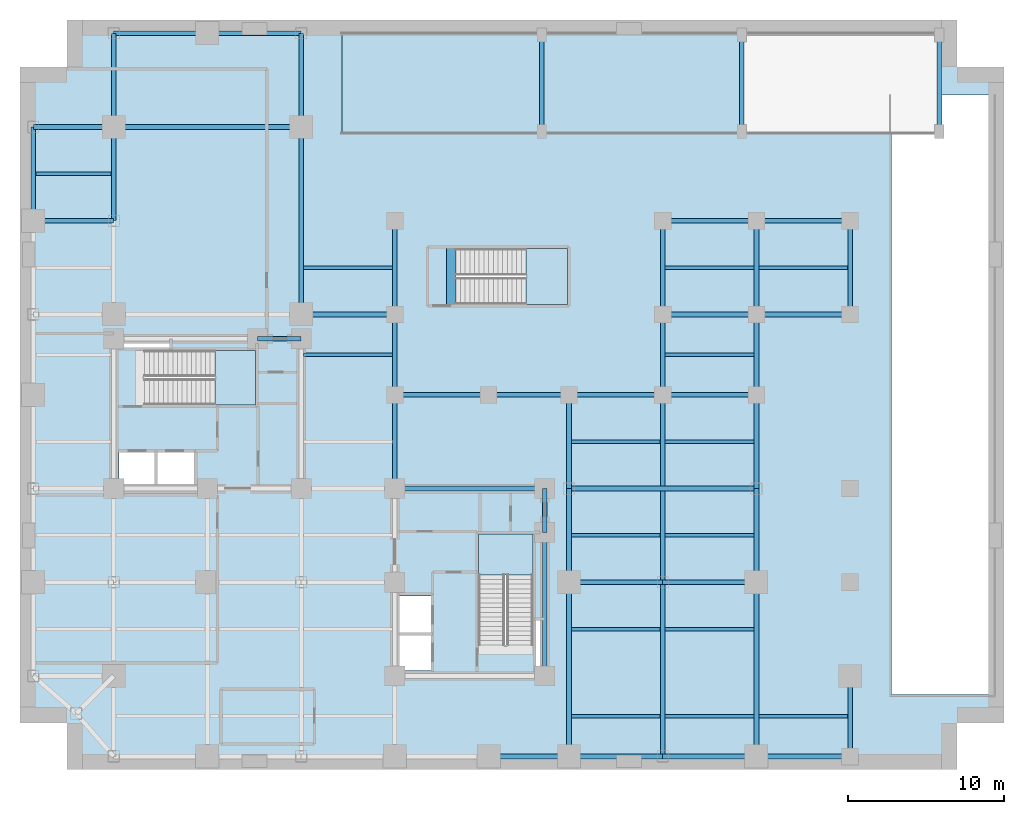
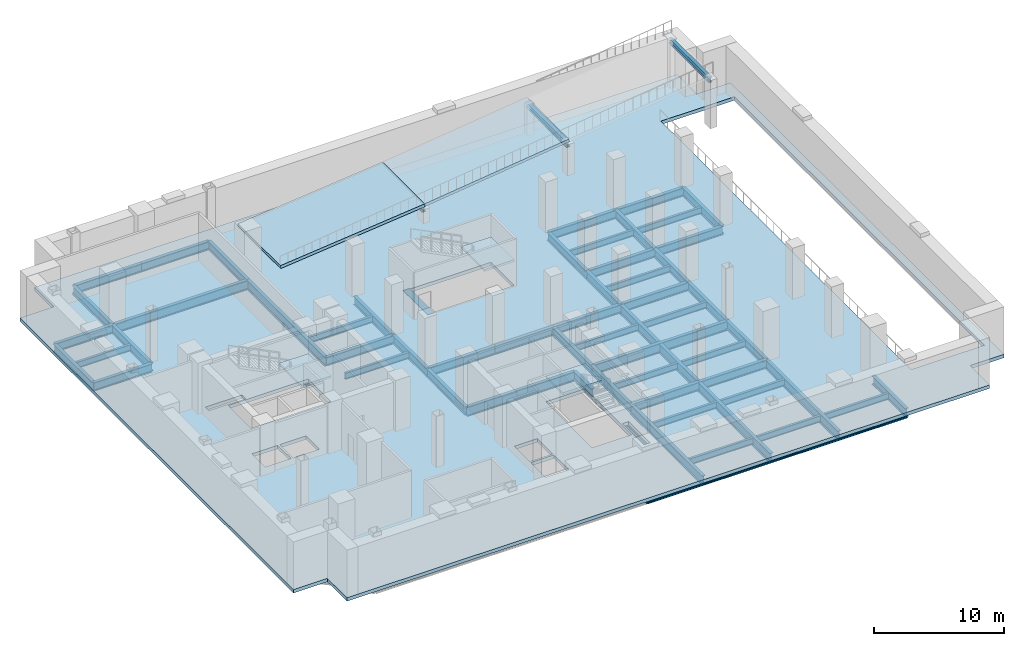
# One storey, part 2 of 6: 66 beams, 6 slabs, 3 elements without a shape of their own.
"""IFC4 building model written with IfcOpenShell, lengths in metres."""

from ifc_helpers import new_model, si_unit, direction, frame, origin, origin_2d, place, context, subcontext, project, spatial, polyline, rectangle, i_section, outline, extrude, material, layer, layer_set, material_profile, profile_set, type_object, element, aggregate, save


model = new_model("IFC4")

# Units and contexts
model_context = context("Model", 3, precision=1e-05, world=origin(), true_north=direction((0.0, 1.0)))
body_context = subcontext(model_context, "Body", "Model", "MODEL_VIEW")
ifc_project = project(units=[si_unit("LENGTHUNIT", "METRE"), si_unit("AREAUNIT", "SQUARE_METRE"), si_unit("VOLUMEUNIT", "CUBIC_METRE"), si_unit("PLANEANGLEUNIT", "RADIAN"), si_unit("MASSUNIT", "GRAM", prefix="KILO"), si_unit("THERMODYNAMICTEMPERATUREUNIT", "KELVIN"), si_unit("POWERUNIT", "WATT")], contexts=[model_context])

# Site, building, storey
site_placement = place(None, origin())
site = spatial("IfcSite", under=ifc_project, at=site_placement, CompositionType="ELEMENT")
building_placement = place(site_placement, origin())
building = spatial("IfcBuilding", under=site, at=building_placement, Name="Svarakhadi Broadcast Tower", CompositionType="ELEMENT")
storey_placement = place(building_placement, frame((0.0, 0.0, -4.800048828125)))
storey = spatial("IfcBuildingStorey", under=building, at=storey_placement, Name="B01", CompositionType="ELEMENT", Elevation=-4.800048828125)

# Beams
ifc_material_1 = material(Name="Steel S355J2 (IS 2062 E350C)", Category="steel")
ifc_material_profile_1 = material_profile(ifc_material_1, i_section(OverallWidth=0.219970703125, OverallDepth=0.60009765625, WebThickness=0.011962890625, FlangeThickness=0.01904296875, FilletRadius=0.02392578125, at=origin_2d()), Name="NPB 600x220x122")
ifc_profile_set_1 = profile_set([ifc_material_profile_1], Name="Steel S355J2 (IS 2062 E350C)")
beam_type_1 = type_object("IfcBeamType", Name="Beam_NPB600", PredefinedType="BEAM", material=ifc_profile_set_1)
beam_1_placement = place(storey_placement, frame((1.010009765625, 38.14990234375, -0.625), z_axis=(1.0, 0.0, 0.0), x_axis=(0.0, 1.0, 0.0)))
element("IfcBeam", 1, at=beam_1_placement, inside=storey, type_object=beam_type_1, Name="B01 Secondary Composite Beam SB006", PredefinedType="BEAM", context=body_context, shape_type="SweptSolid", body=[
    extrude(i_section(OverallWidth=0.219970703125, OverallDepth=0.60009765625, WebThickness=0.011962890625, FlangeThickness=0.01904296875, FilletRadius=0.02392578125, at=origin_2d()), origin(), (0.0, 0.0, 1.0), 4.830078125),
])
for number, where, z_axis, x_axis, name in (
    (2, (18.159912109375, 26.574951171875, -0.625), (1.0, 0.0, 0.0), (0.0, 1.0, 0.0), "B01 Secondary Composite Beam SB017"),
    (3, (18.159912109375, 32.14990234375, -0.625), (1.0, 0.0, 0.0), (0.0, 1.0, 0.0), "B01 Secondary Composite Beam SB018"),
):
    element("IfcBeam", number, at=place(storey_placement, frame(where, z_axis=z_axis, x_axis=x_axis)), inside=storey, type_object=beam_type_1, Name=name, PredefinedType="BEAM", context=body_context, shape_type="SweptSolid", body=[
        extrude(i_section(OverallWidth=0.219970703125, OverallDepth=0.60009765625, WebThickness=0.011962890625, FlangeThickness=0.01904296875, FilletRadius=0.02392578125, at=origin_2d()), origin(), (0.0, 0.0, 1.0), 5.68017578125),
    ])
for number, where, z_axis, x_axis, name in (
    (4, (35.31005859375, 3.425048828125, -0.625), (1.0, 0.0, 0.0), (0.0, 1.0, 0.0), "B01 Secondary Composite Beam SB019"),
    (5, (35.31005859375, 9.0, -0.625), (1.0, 0.0, 0.0), (0.0, 1.0, 0.0), "B01 Secondary Composite Beam SB020"),
    (6, (35.31005859375, 15.0, -0.625), (1.0, 0.0, 0.0), (0.0, 1.0, 0.0), "B01 Secondary Composite Beam SB021"),
    (7, (35.31005859375, 21.0, -0.625), (1.0, 0.0, 0.0), (0.0, 1.0, 0.0), "B01 Secondary Composite Beam SB022"),
    (8, (41.31005859375, 3.425048828125, -0.625), (1.0, 0.0, 0.0), (0.0, 1.0, 0.0), "B01 Secondary Composite Beam SB023"),
    (9, (41.31005859375, 9.0, -0.625), (1.0, 0.0, 0.0), (0.0, 1.0, 0.0), "B01 Secondary Composite Beam SB024"),
    (10, (41.31005859375, 15.0, -0.625), (1.0, 0.0, 0.0), (0.0, 1.0, 0.0), "B01 Secondary Composite Beam SB025"),
    (11, (41.31005859375, 21.0, -0.625), (1.0, 0.0, 0.0), (0.0, 1.0, 0.0), "B01 Secondary Composite Beam SB026"),
    (12, (41.31005859375, 26.574951171875, -0.625), (1.0, 0.0, 0.0), (0.0, 1.0, 0.0), "B01 Secondary Composite Beam SB027"),
    (13, (41.31005859375, 32.14990234375, -0.625), (1.0, 0.0, 0.0), (0.0, 1.0, 0.0), "B01 Secondary Composite Beam SB028"),
    (14, (47.31005859375, 3.425048828125, -0.625), (1.0, 0.0, 0.0), (0.0, 1.0, 0.0), "B01 Secondary Composite Beam SB029"),
    (15, (47.31005859375, 32.14990234375, -0.625), (1.0, 0.0, 0.0), (0.0, 1.0, 0.0), "B01 Secondary Composite Beam SB030"),
):
    element("IfcBeam", number, at=place(storey_placement, frame(where, z_axis=z_axis, x_axis=x_axis)), inside=storey, type_object=beam_type_1, Name=name, PredefinedType="BEAM", context=body_context, shape_type="SweptSolid", body=[
        extrude(i_section(OverallWidth=0.219970703125, OverallDepth=0.60009765625, WebThickness=0.011962890625, FlangeThickness=0.01904296875, FilletRadius=0.02392578125, at=origin_2d()), origin(), (0.0, 0.0, 1.0), 5.679931640625),
    ])
ifc_material_2 = material(Name="Concrete C50/60 (IS 456 M60)", Category="concrete")
ifc_material_profile_2 = material_profile(ifc_material_2, rectangle(XDim=0.60009765625, YDim=0.89990234375, at=origin_2d()), Name="RC 600x900")
ifc_profile_set_2 = profile_set([ifc_material_profile_2], Name="Concrete C50/60 (IS 456 M60)")
beam_type_2 = type_object("IfcBeamType", Name="Coupling_RC600", PredefinedType="USERDEFINED", material=ifc_profile_set_2)
beam_2_placement = place(storey_placement, frame((27.60009765625, 29.699951171875, -0.449951171875), z_axis=(0.0, 1.0, 0.0), x_axis=(-1.0, 0.0, 0.0)))
element("IfcBeam", 16, at=beam_2_placement, inside=storey, type_object=beam_type_2, Name="B01 Stair ST-03 Landing Throat Trimmer Beam CB-01", ObjectType="GIRDER", PredefinedType="USERDEFINED", context=body_context, shape_type="SweptSolid", body=[
    extrude(rectangle(XDim=0.60009765625, YDim=0.89990234375, at=origin_2d()), origin(), (0.0, 0.0, 1.0), 3.760009765625),
])
ifc_material_profile_3 = material_profile(ifc_material_1, i_section(OverallWidth=0.300048828125, OverallDepth=0.5, WebThickness=0.014404296875, FlangeThickness=0.028076171875, FilletRadius=0.027099609375, at=origin_2d()), Name="WPB 500x300x187")
ifc_profile_set_3 = profile_set([ifc_material_profile_3], Name="Steel S355J2 (IS 2062 E350C)")
beam_type_3 = type_object("IfcBeamType", Name="Girder_WPB500", PredefinedType="USERDEFINED", material=ifc_profile_set_3)
for number, where, z_axis, x_axis, name in (
    (17, (33.39990234375, 40.85009765625, 1.010009765625), (0.0, 1.0, 0.0), (-1.0, 0.0, 0.0), "B01 Vehicle Ramp Transverse Bearer Girder 1"),
    (18, (46.199951171875, 40.85009765625, 2.610107421875), (0.0, 1.0, 0.0), (-1.0, 0.0, 0.0), "B01 Vehicle Ramp Transverse Bearer Girder 2"),
    (19, (58.85009765625, 40.85009765625, 4.2099609375), (0.0, 1.0, 0.0), (-1.0, 0.0, 0.0), "B01 Vehicle Ramp Transverse Bearer Girder 3"),
):
    element("IfcBeam", number, at=place(storey_placement, frame(where, z_axis=z_axis, x_axis=x_axis)), inside=storey, type_object=beam_type_3, Name=name, ObjectType="GIRDER", PredefinedType="USERDEFINED", context=body_context, shape_type="SweptSolid", body=[
        extrude(i_section(OverallWidth=0.300048828125, OverallDepth=0.5, WebThickness=0.014404296875, FlangeThickness=0.028076171875, FilletRadius=0.027099609375, at=origin_2d()), origin(), (0.0, 0.0, 1.0), 6.199951171875),
    ])
ifc_material_profile_4 = material_profile(ifc_material_1, i_section(OverallWidth=0.300048828125, OverallDepth=0.800048828125, WebThickness=0.017578125, FlangeThickness=0.032958984375, FilletRadius=0.030029296875, at=origin_2d()), Name="WPB 800x300x262")
ifc_profile_set_4 = profile_set([ifc_material_profile_4], Name="Steel S355J2 (IS 2062 E350C)")
beam_type_4 = type_object("IfcBeamType", Name="Girder_WPB800", PredefinedType="USERDEFINED", material=ifc_profile_set_4)
beam_3_placement = place(storey_placement, frame((30.0, 0.85009765625, -0.724853515625), z_axis=(1.0, 0.0, 0.0), x_axis=(0.0, 1.0, 0.0)))
element("IfcBeam", 20, at=beam_3_placement, inside=storey, type_object=beam_type_4, Name="B01 Primary E-W Girder G008", ObjectType="GIRDER", PredefinedType="USERDEFINED", context=body_context, shape_type="SweptSolid", body=[
    extrude(i_section(OverallWidth=0.300048828125, OverallDepth=0.800048828125, WebThickness=0.017578125, FlangeThickness=0.032958984375, FilletRadius=0.030029296875, at=origin_2d()), origin(), (0.0, 0.0, 1.0), 5.14990234375),
])
for number, where, z_axis, x_axis, name in (
    (21, (35.14990234375, 0.85009765625, -0.724853515625), (1.0, 0.0, 0.0), (0.0, 1.0, 0.0), "B01 Primary E-W Girder G009"),
    (22, (41.14990234375, 0.85009765625, -0.724853515625), (1.0, 0.0, 0.0), (0.0, 1.0, 0.0), "B01 Primary E-W Girder G010"),
    (23, (47.14990234375, 0.85009765625, -0.724853515625), (1.0, 0.0, 0.0), (0.0, 1.0, 0.0), "B01 Primary E-W Girder G011"),
    (24, (35.14990234375, 12.0, -0.724853515625), (1.0, 0.0, 0.0), (0.0, 1.0, 0.0), "B01 Primary E-W Girder G018"),
    (25, (41.14990234375, 12.0, -0.724853515625), (1.0, 0.0, 0.0), (0.0, 1.0, 0.0), "B01 Primary E-W Girder G019"),
    (26, (24.0, 24.0, -0.724853515625), (1.0, 0.0, 0.0), (0.0, 1.0, 0.0), "B01 Primary E-W Girder G026"),
):
    element("IfcBeam", number, at=place(storey_placement, frame(where, z_axis=z_axis, x_axis=x_axis)), inside=storey, type_object=beam_type_4, Name=name, ObjectType="GIRDER", PredefinedType="USERDEFINED", context=body_context, shape_type="SweptSolid", body=[
        extrude(i_section(OverallWidth=0.300048828125, OverallDepth=0.800048828125, WebThickness=0.017578125, FlangeThickness=0.032958984375, FilletRadius=0.030029296875, at=origin_2d()), origin(), (0.0, 0.0, 1.0), 6.0),
    ])
beam_4_placement = place(storey_placement, frame((30.0, 24.0, -0.724853515625), z_axis=(1.0, 0.0, 0.0), x_axis=(0.0, 1.0, 0.0)))
element("IfcBeam", 27, at=beam_4_placement, inside=storey, type_object=beam_type_4, Name="B01 Primary E-W Girder G027", ObjectType="GIRDER", PredefinedType="USERDEFINED", context=body_context, shape_type="SweptSolid", body=[
    extrude(i_section(OverallWidth=0.300048828125, OverallDepth=0.800048828125, WebThickness=0.017578125, FlangeThickness=0.032958984375, FilletRadius=0.030029296875, at=origin_2d()), origin(), (0.0, 0.0, 1.0), 5.14990234375),
])
for number, where, z_axis, x_axis, name in (
    (28, (35.14990234375, 24.0, -0.724853515625), (1.0, 0.0, 0.0), (0.0, 1.0, 0.0), "B01 Primary E-W Girder G028"),
    (29, (41.14990234375, 24.0, -0.724853515625), (1.0, 0.0, 0.0), (0.0, 1.0, 0.0), "B01 Primary E-W Girder G029"),
):
    element("IfcBeam", number, at=place(storey_placement, frame(where, z_axis=z_axis, x_axis=x_axis)), inside=storey, type_object=beam_type_4, Name=name, ObjectType="GIRDER", PredefinedType="USERDEFINED", context=body_context, shape_type="SweptSolid", body=[
        extrude(i_section(OverallWidth=0.300048828125, OverallDepth=0.800048828125, WebThickness=0.017578125, FlangeThickness=0.032958984375, FilletRadius=0.030029296875, at=origin_2d()), origin(), (0.0, 0.0, 1.0), 6.0),
    ])
beam_5_placement = place(storey_placement, frame((15.199951171875, 27.60009765625, -0.724853515625), z_axis=(1.0, 0.0, 0.0), x_axis=(0.0, 1.0, 0.0)))
element("IfcBeam", 30, at=beam_5_placement, inside=storey, type_object=beam_type_4, Name="B01 Primary E-W Girder G031", ObjectType="GIRDER", PredefinedType="USERDEFINED", context=body_context, shape_type="SweptSolid", body=[
    extrude(i_section(OverallWidth=0.300048828125, OverallDepth=0.800048828125, WebThickness=0.017578125, FlangeThickness=0.032958984375, FilletRadius=0.030029296875, at=origin_2d()), origin(), (0.0, 0.0, 1.0), 2.800048828125),
])
for number, where, z_axis, x_axis, name in (
    (31, (18.0, 29.14990234375, -0.724853515625), (1.0, 0.0, 0.0), (0.0, 1.0, 0.0), "B01 Primary E-W Girder G034"),
    (32, (41.14990234375, 29.14990234375, -0.724853515625), (1.0, 0.0, 0.0), (0.0, 1.0, 0.0), "B01 Primary E-W Girder G035"),
    (33, (47.14990234375, 29.14990234375, -0.724853515625), (1.0, 0.0, 0.0), (0.0, 1.0, 0.0), "B01 Primary E-W Girder G036"),
):
    element("IfcBeam", number, at=place(storey_placement, frame(where, z_axis=z_axis, x_axis=x_axis)), inside=storey, type_object=beam_type_4, Name=name, ObjectType="GIRDER", PredefinedType="USERDEFINED", context=body_context, shape_type="SweptSolid", body=[
        extrude(i_section(OverallWidth=0.300048828125, OverallDepth=0.800048828125, WebThickness=0.017578125, FlangeThickness=0.032958984375, FilletRadius=0.030029296875, at=origin_2d()), origin(), (0.0, 0.0, 1.0), 6.0),
    ])
beam_6_placement = place(storey_placement, frame((0.85009765625, 35.14990234375, -0.724853515625), z_axis=(1.0, 0.0, 0.0), x_axis=(0.0, 1.0, 0.0)))
element("IfcBeam", 34, at=beam_6_placement, inside=storey, type_object=beam_type_4, Name="B01 Primary E-W Girder G037", ObjectType="GIRDER", PredefinedType="USERDEFINED", context=body_context, shape_type="SweptSolid", body=[
    extrude(i_section(OverallWidth=0.300048828125, OverallDepth=0.800048828125, WebThickness=0.017578125, FlangeThickness=0.032958984375, FilletRadius=0.030029296875, at=origin_2d()), origin(), (0.0, 0.0, 1.0), 5.14990234375),
])
for number, where, z_axis, x_axis, name in (
    (35, (41.14990234375, 35.14990234375, -0.724853515625), (1.0, 0.0, 0.0), (0.0, 1.0, 0.0), "B01 Primary E-W Girder G038"),
    (36, (47.14990234375, 35.14990234375, -0.724853515625), (1.0, 0.0, 0.0), (0.0, 1.0, 0.0), "B01 Primary E-W Girder G039"),
):
    element("IfcBeam", number, at=place(storey_placement, frame(where, z_axis=z_axis, x_axis=x_axis)), inside=storey, type_object=beam_type_4, Name=name, ObjectType="GIRDER", PredefinedType="USERDEFINED", context=body_context, shape_type="SweptSolid", body=[
        extrude(i_section(OverallWidth=0.300048828125, OverallDepth=0.800048828125, WebThickness=0.017578125, FlangeThickness=0.032958984375, FilletRadius=0.030029296875, at=origin_2d()), origin(), (0.0, 0.0, 1.0), 6.0),
    ])
beam_7_placement = place(storey_placement, frame((0.85009765625, 41.14990234375, -0.724853515625), z_axis=(1.0, 0.0, 0.0), x_axis=(0.0, 1.0, 0.0)))
element("IfcBeam", 37, at=beam_7_placement, inside=storey, type_object=beam_type_4, Name="B01 Primary E-W Girder G040", ObjectType="GIRDER", PredefinedType="USERDEFINED", context=body_context, shape_type="SweptSolid", body=[
    extrude(i_section(OverallWidth=0.300048828125, OverallDepth=0.800048828125, WebThickness=0.017578125, FlangeThickness=0.032958984375, FilletRadius=0.030029296875, at=origin_2d()), origin(), (0.0, 0.0, 1.0), 5.14990234375),
])
for number, where, z_axis, x_axis, name in (
    (38, (6.0, 47.14990234375, -0.724853515625), (1.0, 0.0, 0.0), (0.0, 1.0, 0.0), "B01 Primary E-W Girder G042"),
    (39, (12.0, 47.14990234375, -0.724853515625), (1.0, 0.0, 0.0), (0.0, 1.0, 0.0), "B01 Primary E-W Girder G043"),
    (40, (0.85009765625, 35.14990234375, -0.724853515625), (0.0, 1.0, 0.0), (-1.0, 0.0, 0.0), "B01 Primary N-S Girder G049"),
    (41, (6.0, 35.14990234375, -0.724853515625), (0.0, 1.0, 0.0), (-1.0, 0.0, 0.0), "B01 Primary N-S Girder G055"),
    (42, (6.0, 41.14990234375, -0.724853515625), (0.0, 1.0, 0.0), (-1.0, 0.0, 0.0), "B01 Primary N-S Girder G056"),
    (43, (18.0, 41.14990234375, -0.724853515625), (0.0, 1.0, 0.0), (-1.0, 0.0, 0.0), "B01 Primary N-S Girder G063"),
    (44, (24.0, 18.0, -0.724853515625), (0.0, 1.0, 0.0), (-1.0, 0.0, 0.0), "B01 Primary N-S Girder G067"),
):
    element("IfcBeam", number, at=place(storey_placement, frame(where, z_axis=z_axis, x_axis=x_axis)), inside=storey, type_object=beam_type_4, Name=name, ObjectType="GIRDER", PredefinedType="USERDEFINED", context=body_context, shape_type="SweptSolid", body=[
        extrude(i_section(OverallWidth=0.300048828125, OverallDepth=0.800048828125, WebThickness=0.017578125, FlangeThickness=0.032958984375, FilletRadius=0.030029296875, at=origin_2d()), origin(), (0.0, 0.0, 1.0), 6.0),
    ])
beam_8_placement = place(storey_placement, frame((24.0, 24.0, -0.724853515625), z_axis=(0.0, 1.0, 0.0), x_axis=(-1.0, 0.0, 0.0)))
element("IfcBeam", 45, at=beam_8_placement, inside=storey, type_object=beam_type_4, Name="B01 Primary N-S Girder G068", ObjectType="GIRDER", PredefinedType="USERDEFINED", context=body_context, shape_type="SweptSolid", body=[
    extrude(i_section(OverallWidth=0.300048828125, OverallDepth=0.800048828125, WebThickness=0.017578125, FlangeThickness=0.032958984375, FilletRadius=0.030029296875, at=origin_2d()), origin(), (0.0, 0.0, 1.0), 5.14990234375),
])
beam_9_placement = place(storey_placement, frame((24.0, 29.14990234375, -0.724853515625), z_axis=(0.0, 1.0, 0.0), x_axis=(-1.0, 0.0, 0.0)))
element("IfcBeam", 46, at=beam_9_placement, inside=storey, type_object=beam_type_4, Name="B01 Primary N-S Girder G069", ObjectType="GIRDER", PredefinedType="USERDEFINED", context=body_context, shape_type="SweptSolid", body=[
    extrude(i_section(OverallWidth=0.300048828125, OverallDepth=0.800048828125, WebThickness=0.017578125, FlangeThickness=0.032958984375, FilletRadius=0.030029296875, at=origin_2d()), origin(), (0.0, 0.0, 1.0), 6.0),
])
beam_10_placement = place(storey_placement, frame((33.60009765625, 15.199951171875, -0.724853515625), z_axis=(0.0, 1.0, 0.0), x_axis=(-1.0, 0.0, 0.0)))
element("IfcBeam", 47, at=beam_10_placement, inside=storey, type_object=beam_type_4, Name="B01 Primary N-S Girder G071", ObjectType="GIRDER", PredefinedType="USERDEFINED", context=body_context, shape_type="SweptSolid", body=[
    extrude(i_section(OverallWidth=0.300048828125, OverallDepth=0.800048828125, WebThickness=0.017578125, FlangeThickness=0.032958984375, FilletRadius=0.030029296875, at=origin_2d()), origin(), (0.0, 0.0, 1.0), 2.800048828125),
])
for number, where, z_axis, x_axis, name in (
    (48, (35.14990234375, 12.0, -0.724853515625), (0.0, 1.0, 0.0), (-1.0, 0.0, 0.0), "B01 Primary N-S Girder G073"),
    (49, (35.14990234375, 18.0, -0.724853515625), (0.0, 1.0, 0.0), (-1.0, 0.0, 0.0), "B01 Primary N-S Girder G074"),
):
    element("IfcBeam", number, at=place(storey_placement, frame(where, z_axis=z_axis, x_axis=x_axis)), inside=storey, type_object=beam_type_4, Name=name, ObjectType="GIRDER", PredefinedType="USERDEFINED", context=body_context, shape_type="SweptSolid", body=[
        extrude(i_section(OverallWidth=0.300048828125, OverallDepth=0.800048828125, WebThickness=0.017578125, FlangeThickness=0.032958984375, FilletRadius=0.030029296875, at=origin_2d()), origin(), (0.0, 0.0, 1.0), 6.0),
    ])
beam_11_placement = place(storey_placement, frame((41.14990234375, 24.0, -0.724853515625), z_axis=(0.0, 1.0, 0.0), x_axis=(-1.0, 0.0, 0.0)))
element("IfcBeam", 50, at=beam_11_placement, inside=storey, type_object=beam_type_4, Name="B01 Primary N-S Girder G077", ObjectType="GIRDER", PredefinedType="USERDEFINED", context=body_context, shape_type="SweptSolid", body=[
    extrude(i_section(OverallWidth=0.300048828125, OverallDepth=0.800048828125, WebThickness=0.017578125, FlangeThickness=0.032958984375, FilletRadius=0.030029296875, at=origin_2d()), origin(), (0.0, 0.0, 1.0), 5.14990234375),
])
for number, where, z_axis, x_axis, name in (
    (51, (41.14990234375, 29.14990234375, -0.724853515625), (0.0, 1.0, 0.0), (-1.0, 0.0, 0.0), "B01 Primary N-S Girder G078"),
    (52, (47.14990234375, 12.0, -0.724853515625), (0.0, 1.0, 0.0), (-1.0, 0.0, 0.0), "B01 Primary N-S Girder G080"),
    (53, (47.14990234375, 18.0, -0.724853515625), (0.0, 1.0, 0.0), (-1.0, 0.0, 0.0), "B01 Primary N-S Girder G081"),
):
    element("IfcBeam", number, at=place(storey_placement, frame(where, z_axis=z_axis, x_axis=x_axis)), inside=storey, type_object=beam_type_4, Name=name, ObjectType="GIRDER", PredefinedType="USERDEFINED", context=body_context, shape_type="SweptSolid", body=[
        extrude(i_section(OverallWidth=0.300048828125, OverallDepth=0.800048828125, WebThickness=0.017578125, FlangeThickness=0.032958984375, FilletRadius=0.030029296875, at=origin_2d()), origin(), (0.0, 0.0, 1.0), 6.0),
    ])
beam_12_placement = place(storey_placement, frame((47.14990234375, 24.0, -0.724853515625), z_axis=(0.0, 1.0, 0.0), x_axis=(-1.0, 0.0, 0.0)))
element("IfcBeam", 54, at=beam_12_placement, inside=storey, type_object=beam_type_4, Name="B01 Primary N-S Girder G082", ObjectType="GIRDER", PredefinedType="USERDEFINED", context=body_context, shape_type="SweptSolid", body=[
    extrude(i_section(OverallWidth=0.300048828125, OverallDepth=0.800048828125, WebThickness=0.017578125, FlangeThickness=0.032958984375, FilletRadius=0.030029296875, at=origin_2d()), origin(), (0.0, 0.0, 1.0), 5.14990234375),
])
beam_13_placement = place(storey_placement, frame((47.14990234375, 29.14990234375, -0.724853515625), z_axis=(0.0, 1.0, 0.0), x_axis=(-1.0, 0.0, 0.0)))
element("IfcBeam", 55, at=beam_13_placement, inside=storey, type_object=beam_type_4, Name="B01 Primary N-S Girder G083", ObjectType="GIRDER", PredefinedType="USERDEFINED", context=body_context, shape_type="SweptSolid", body=[
    extrude(i_section(OverallWidth=0.300048828125, OverallDepth=0.800048828125, WebThickness=0.017578125, FlangeThickness=0.032958984375, FilletRadius=0.030029296875, at=origin_2d()), origin(), (0.0, 0.0, 1.0), 6.0),
])
beam_14_placement = place(storey_placement, frame((53.14990234375, 0.85009765625, -0.724853515625), z_axis=(0.0, 1.0, 0.0), x_axis=(-1.0, 0.0, 0.0)))
element("IfcBeam", 56, at=beam_14_placement, inside=storey, type_object=beam_type_4, Name="B01 Primary N-S Girder G084", ObjectType="GIRDER", PredefinedType="USERDEFINED", context=body_context, shape_type="SweptSolid", body=[
    extrude(i_section(OverallWidth=0.300048828125, OverallDepth=0.800048828125, WebThickness=0.017578125, FlangeThickness=0.032958984375, FilletRadius=0.030029296875, at=origin_2d()), origin(), (0.0, 0.0, 1.0), 5.14990234375),
])
beam_15_placement = place(storey_placement, frame((53.14990234375, 29.14990234375, -0.724853515625), z_axis=(0.0, 1.0, 0.0), x_axis=(-1.0, 0.0, 0.0)))
element("IfcBeam", 57, at=beam_15_placement, inside=storey, type_object=beam_type_4, Name="B01 Primary N-S Girder G085", ObjectType="GIRDER", PredefinedType="USERDEFINED", context=body_context, shape_type="SweptSolid", body=[
    extrude(i_section(OverallWidth=0.300048828125, OverallDepth=0.800048828125, WebThickness=0.017578125, FlangeThickness=0.032958984375, FilletRadius=0.030029296875, at=origin_2d()), origin(), (0.0, 0.0, 1.0), 6.0),
])
ifc_material_3 = material(Name="Steel S460ML (IS 2062 E450BR)", Category="steel")
ifc_material_profile_5 = material_profile(ifc_material_3, i_section(OverallWidth=0.300048828125, OverallDepth=0.89990234375, WebThickness=0.0185546875, FlangeThickness=0.034912109375, FilletRadius=0.030029296875, at=origin_2d()), Name="WPB 900x300x291")
ifc_profile_set_5 = profile_set([ifc_material_profile_5], Name="Steel S460ML (IS 2062 E450BR)")
beam_type_5 = type_object("IfcBeamType", Name="Girder_WPB900", PredefinedType="USERDEFINED", material=ifc_profile_set_5)
beam_16_placement = place(storey_placement, frame((24.0, 18.0, -0.77490234375), z_axis=(1.0, 0.0, 0.0), x_axis=(0.0, 1.0, 0.0)))
element("IfcBeam", 58, at=beam_16_placement, inside=storey, type_object=beam_type_5, Name="B01 Primary E-W Girder G024", ObjectType="GIRDER", PredefinedType="USERDEFINED", context=body_context, shape_type="SweptSolid", body=[
    extrude(i_section(OverallWidth=0.300048828125, OverallDepth=0.89990234375, WebThickness=0.0185546875, FlangeThickness=0.034912109375, FilletRadius=0.030029296875, at=origin_2d()), origin(), (0.0, 0.0, 1.0), 9.60009765625),
])
for number, where, z_axis, x_axis, name in (
    (59, (35.14990234375, 18.0, -0.77490234375), (1.0, 0.0, 0.0), (0.0, 1.0, 0.0), "B01 Primary E-W Girder G025"),
    (60, (6.0, 41.14990234375, -0.77490234375), (1.0, 0.0, 0.0), (0.0, 1.0, 0.0), "B01 Primary E-W Girder G041"),
    (61, (18.0, 29.14990234375, -0.77490234375), (0.0, 1.0, 0.0), (-1.0, 0.0, 0.0), "B01 Primary N-S Girder G062"),
):
    element("IfcBeam", number, at=place(storey_placement, frame(where, z_axis=z_axis, x_axis=x_axis)), inside=storey, type_object=beam_type_5, Name=name, ObjectType="GIRDER", PredefinedType="USERDEFINED", context=body_context, shape_type="SweptSolid", body=[
        extrude(i_section(OverallWidth=0.300048828125, OverallDepth=0.89990234375, WebThickness=0.0185546875, FlangeThickness=0.034912109375, FilletRadius=0.030029296875, at=origin_2d()), origin(), (0.0, 0.0, 1.0), 12.0),
    ])
beam_17_placement = place(storey_placement, frame((33.60009765625, 6.0, -0.77490234375), z_axis=(0.0, 1.0, 0.0), x_axis=(-1.0, 0.0, 0.0)))
element("IfcBeam", 62, at=beam_17_placement, inside=storey, type_object=beam_type_5, Name="B01 Primary N-S Girder G070", ObjectType="GIRDER", PredefinedType="USERDEFINED", context=body_context, shape_type="SweptSolid", body=[
    extrude(i_section(OverallWidth=0.300048828125, OverallDepth=0.89990234375, WebThickness=0.0185546875, FlangeThickness=0.034912109375, FilletRadius=0.030029296875, at=origin_2d()), origin(), (0.0, 0.0, 1.0), 9.199951171875),
])
for number, where, z_axis, x_axis, name in (
    (63, (35.14990234375, 0.85009765625, -0.77490234375), (0.0, 1.0, 0.0), (-1.0, 0.0, 0.0), "B01 Primary N-S Girder G072"),
    (64, (41.14990234375, 0.85009765625, -0.77490234375), (0.0, 1.0, 0.0), (-1.0, 0.0, 0.0), "B01 Primary N-S Girder G075"),
):
    element("IfcBeam", number, at=place(storey_placement, frame(where, z_axis=z_axis, x_axis=x_axis)), inside=storey, type_object=beam_type_5, Name=name, ObjectType="GIRDER", PredefinedType="USERDEFINED", context=body_context, shape_type="SweptSolid", body=[
        extrude(i_section(OverallWidth=0.300048828125, OverallDepth=0.89990234375, WebThickness=0.0185546875, FlangeThickness=0.034912109375, FilletRadius=0.030029296875, at=origin_2d()), origin(), (0.0, 0.0, 1.0), 11.14990234375),
    ])
beam_18_placement = place(storey_placement, frame((41.14990234375, 12.0, -0.77490234375), z_axis=(0.0, 1.0, 0.0), x_axis=(-1.0, 0.0, 0.0)))
element("IfcBeam", 65, at=beam_18_placement, inside=storey, type_object=beam_type_5, Name="B01 Primary N-S Girder G076", ObjectType="GIRDER", PredefinedType="USERDEFINED", context=body_context, shape_type="SweptSolid", body=[
    extrude(i_section(OverallWidth=0.300048828125, OverallDepth=0.89990234375, WebThickness=0.0185546875, FlangeThickness=0.034912109375, FilletRadius=0.030029296875, at=origin_2d()), origin(), (0.0, 0.0, 1.0), 12.0),
])
beam_19_placement = place(storey_placement, frame((47.14990234375, 0.85009765625, -0.77490234375), z_axis=(0.0, 1.0, 0.0), x_axis=(-1.0, 0.0, 0.0)))
element("IfcBeam", 66, at=beam_19_placement, inside=storey, type_object=beam_type_5, Name="B01 Primary N-S Girder G079", ObjectType="GIRDER", PredefinedType="USERDEFINED", context=body_context, shape_type="SweptSolid", body=[
    extrude(i_section(OverallWidth=0.300048828125, OverallDepth=0.89990234375, WebThickness=0.0185546875, FlangeThickness=0.034912109375, FilletRadius=0.030029296875, at=origin_2d()), origin(), (0.0, 0.0, 1.0), 11.14990234375),
])

# Slab
ifc_layer_1 = layer(ifc_material_2, 0.324951171875)
ifc_layer_set_1 = layer_set([ifc_layer_1], Name="Concrete C50/60 (IS 456 M60)")
slab_type_1 = type_object("IfcSlabType", Name="Slab_Floor_325", PredefinedType="FLOOR", material=ifc_layer_set_1)
slab_1_placement = place(storey_placement, frame((0.0, 0.0, -0.324951171875)))
element("IfcSlab", 67, at=slab_1_placement, inside=storey, type_object=slab_type_1, Name="B01 Structural Floor Slab", PredefinedType="FLOOR", context=body_context, shape_type="SweptSolid", body=[
    extrude(outline(polyline([(3.0, 0.0), (60.0, 0.0), (60.0, 3.0), (63.0, 3.0), (63.0, 45.0), (60.0, 45.0), (60.0, 48.0), (3.0, 48.0), (3.0, 45.0), (0.0, 45.0), (0.0, 3.0), (3.0, 3.0), (3.0, 0.0)]), holes=[polyline([(7.97998046875, 23.360107421875), (15.080078125, 23.360107421875), (15.080078125, 26.840087890625), (7.97998046875, 26.840087890625), (7.97998046875, 23.360107421875)]), polyline([(32.840087890625, 7.97998046875), (32.840087890625, 15.080078125), (29.360107421875, 15.080078125), (29.360107421875, 7.97998046875), (32.840087890625, 7.97998046875)]), polyline([(27.89990234375, 29.800048828125), (35.050048828125, 29.800048828125), (35.050048828125, 33.360107421875), (27.89990234375, 33.360107421875), (27.89990234375, 29.800048828125)]), polyline([(6.340087890625, 18.2900390625), (8.610107421875, 18.2900390625), (8.610107421875, 20.330078125), (6.340087890625, 20.330078125), (6.340087890625, 18.2900390625)]), polyline([(8.7900390625, 18.2900390625), (11.1298828125, 18.2900390625), (11.1298828125, 20.330078125), (8.7900390625, 20.330078125), (8.7900390625, 18.2900390625)]), polyline([(24.2900390625, 6.340087890625), (26.330078125, 6.340087890625), (26.330078125, 8.610107421875), (24.2900390625, 8.610107421875), (24.2900390625, 6.340087890625)]), polyline([(24.2900390625, 8.7900390625), (26.330078125, 8.7900390625), (26.330078125, 11.1298828125), (24.2900390625, 11.1298828125), (24.2900390625, 8.7900390625)]), polyline([(6.340087890625, 26.989990234375), (9.610107421875, 26.989990234375), (9.610107421875, 27.530029296875), (6.340087890625, 27.530029296875), (6.340087890625, 26.989990234375)]), polyline([(32.989990234375, 6.340087890625), (33.530029296875, 6.340087890625), (33.530029296875, 9.610107421875), (32.989990234375, 9.610107421875), (32.989990234375, 6.340087890625)]), polyline([(55.800048828125, 4.800048828125), (62.300048828125, 4.800048828125), (62.300048828125, 43.199951171875), (55.800048828125, 43.199951171875), (55.800048828125, 4.800048828125)])]), origin(), (0.0, 0.0, 1.0), 0.324951171875),
])

# Stair, slab
ifc_material_4 = material(Name="Concrete C40/50 (IS 456 M50)", Category="concrete")
stair_type_1 = type_object("IfcStairType", Name="Stair_Exit_Core", PredefinedType="HALF_TURN_STAIR", material=ifc_material_4)
stair_1_placement = place(storey_placement, origin())
stair_1 = element("IfcStair", 68, at=stair_1_placement, inside=storey, type_object=stair_type_1, Name="B01 West Core Protected Exit Stair ST-01", PredefinedType="HALF_TURN_STAIR")
ifc_layer_2 = layer(ifc_material_4, 0.199951171875)
ifc_layer_set_2 = layer_set([ifc_layer_2], Name="Concrete C40/50 (IS 456 M50)")
slab_type_2 = type_object("IfcSlabType", Name="Slab_Stair_Land", PredefinedType="LANDING", material=ifc_layer_set_2)
slab_2_placement = place(storey_placement, frame((0.0, 0.0, 2.199951171875)))
slab_2 = element("IfcSlab", 69, at=slab_2_placement, type_object=slab_type_2, Name="ST-01 landing 1", PredefinedType="LANDING", context=body_context, shape_type="SweptSolid", body=[
    extrude(outline(polyline([(12.47998046875, 23.360107421875), (15.080078125, 23.360107421875), (15.080078125, 26.840087890625), (12.47998046875, 26.840087890625), (12.47998046875, 23.360107421875)])), origin(), (0.0, 0.0, 1.0), 0.2001953125),
])
aggregate(stair_1, [slab_2])

stair_2_placement = place(storey_placement, origin())
stair_2 = element("IfcStair", 70, at=stair_2_placement, inside=storey, type_object=stair_type_1, Name="B01 East Core Protected Exit Stair ST-02", PredefinedType="HALF_TURN_STAIR")
slab_3_placement = place(storey_placement, frame((0.0, 0.0, 2.199951171875)))
slab_3 = element("IfcSlab", 71, at=slab_3_placement, type_object=slab_type_2, Name="ST-02 landing 1", PredefinedType="LANDING", context=body_context, shape_type="SweptSolid", body=[
    extrude(outline(polyline([(32.840087890625, 12.47998046875), (32.840087890625, 15.080078125), (29.360107421875, 15.080078125), (29.360107421875, 12.47998046875), (32.840087890625, 12.47998046875)])), origin(), (0.0, 0.0, 1.0), 0.2001953125),
])
aggregate(stair_2, [slab_3])

stair_type_2 = type_object("IfcStairType", Name="Stair_Exit_Pod", PredefinedType="HALF_TURN_STAIR", material=ifc_material_4)
stair_3_placement = place(storey_placement, origin())
stair_3 = element("IfcStair", 72, at=stair_3_placement, inside=storey, type_object=stair_type_2, Name="B01 Podium Concourse Broadcast Exit Stair ST-03", PredefinedType="HALF_TURN_STAIR")
slab_4_placement = place(storey_placement, frame((0.0, 0.0, 2.199951171875)))
slab_4 = element("IfcSlab", 73, at=slab_4_placement, type_object=slab_type_2, Name="ST-03 landing 1", PredefinedType="LANDING", context=body_context, shape_type="SweptSolid", body=[
    extrude(outline(polyline([(32.39990234375, 29.800048828125), (35.050048828125, 29.800048828125), (35.050048828125, 33.360107421875), (32.39990234375, 33.360107421875), (32.39990234375, 29.800048828125)])), origin(), (0.0, 0.0, 1.0), 0.2001953125),
])
aggregate(stair_3, [slab_4])

# Slabs
ifc_material_5 = material(Name="Concrete C45/55 (IS 456 M55 Marine)", Category="concrete")
ifc_layer_3 = layer(ifc_material_5, 0.280029296875)
ifc_layer_set_3 = layer_set([ifc_layer_3], Name="Concrete C45/55 (IS 456 M55 Marine)")
slab_type_3 = type_object("IfcSlabType", Name="Slab_VehRamp", PredefinedType="FLOOR", material=ifc_layer_set_3)
slab_5_placement = place(storey_placement, frame((20.60009765625, 40.699951171875, 0.281982421875), z_axis=(-0.102437594376, 0.0, 0.994739432846), x_axis=(0.994739432846, 0.0, 0.102437594376)))
element("IfcSlab", 74, at=slab_5_placement, inside=storey, type_object=slab_type_3, Name="Car Park Vehicle Ramp R1 Flight B01-L00 Segment 1", PredefinedType="FLOOR", context=body_context, shape_type="SweptSolid", body=[
    extrude(outline(polyline([(0.0, 0.0), (12.867495009100972, 0.0), (12.867495009100972, 6.500000000000002), (0.0, 6.500000000000002), (0.0, 0.0)])), origin(), (0.0, 0.0, -1.0), 0.280029296875),
])
slab_6_placement = place(storey_placement, frame((33.39990234375, 40.699951171875, 1.60009765625), z_axis=(-0.124023087717, 0.0, 0.992279332503), x_axis=(0.992279332503, 0.0, 0.124023087717)))
element("IfcSlab", 75, at=slab_6_placement, inside=storey, type_object=slab_type_3, Name="Car Park Vehicle Ramp R1 Flight B01-L00 Segment 2", PredefinedType="FLOOR", context=body_context, shape_type="SweptSolid", body=[
    extrude(outline(polyline([(0.0, 0.0), (12.89964268008389, 0.0), (12.89964268008389, 6.5), (0.0, 6.5), (0.0, 0.0)])), origin(), (0.0, 0.0, -1.0), 0.280029296875),
])

save(model, "model.ifc")
